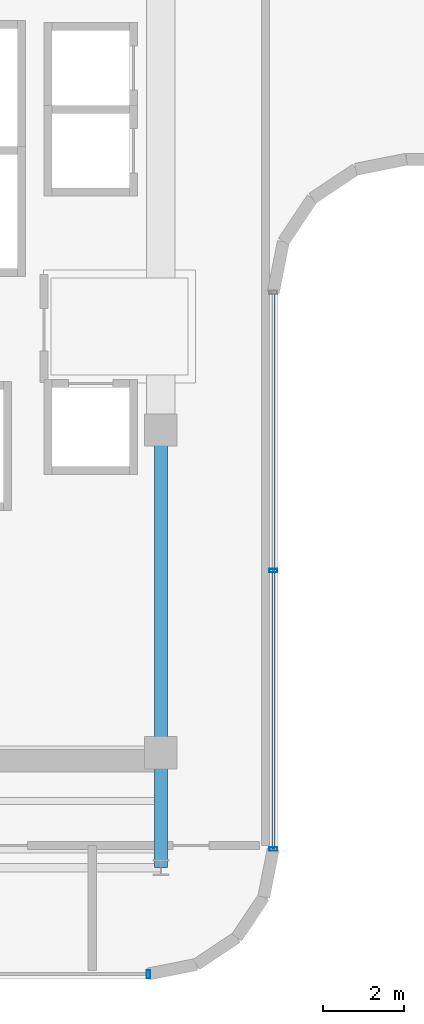
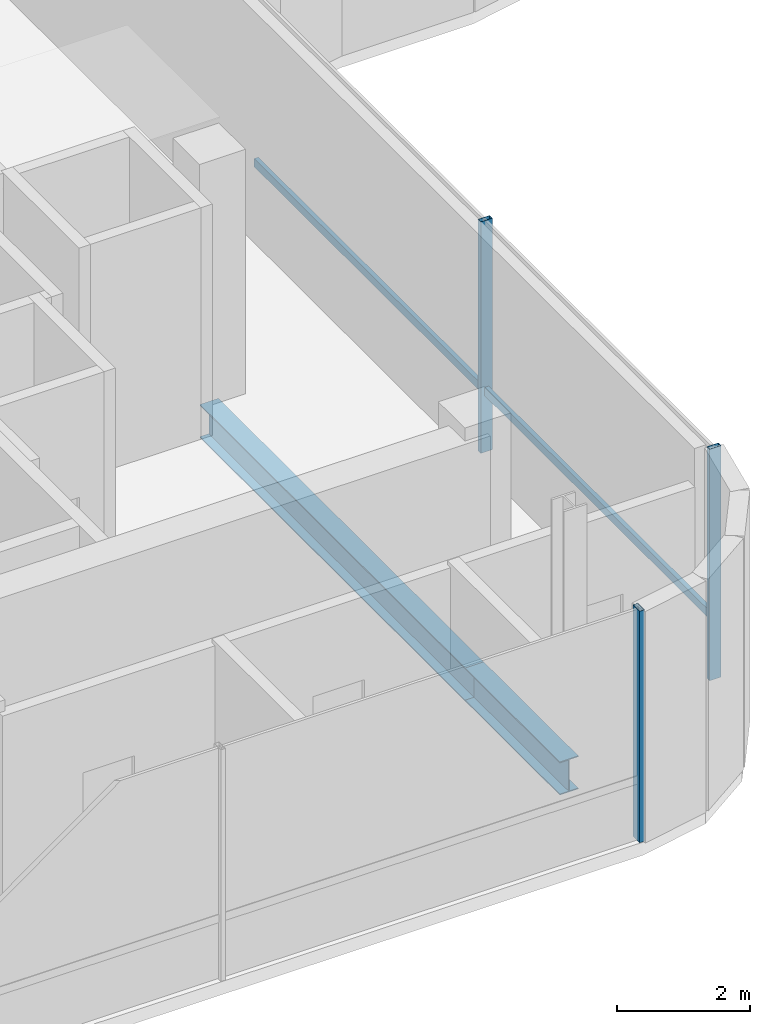
# One storey, part 5 of 19: 4 members, 2 beams, 2 elements without a shape of their own.
"""IFC4 building model written with IfcOpenShell, lengths in metres."""

from ifc_helpers import new_model, si_unit, direction, frame, origin, origin_2d, place, context, subcontext, project, spatial, hollow_rectangle, i_section, extrude, source, transform, mapped, material, material_profile, profile_set, type_object, element, aggregate, save


model = new_model("IFC4")

# Units and contexts
model_context = context("Model", 3, precision=1e-05, world=origin(), true_north=direction((0.0, 1.0)))
body_context = subcontext(model_context, "Body", "Model", "MODEL_VIEW")
ifc_project = project(units=[si_unit("LENGTHUNIT", "METRE"), si_unit("AREAUNIT", "SQUARE_METRE"), si_unit("VOLUMEUNIT", "CUBIC_METRE"), si_unit("PLANEANGLEUNIT", "RADIAN"), si_unit("MASSUNIT", "GRAM", prefix="KILO")], contexts=[model_context])

# Site, building, storey
site_placement = place(None, origin())
site = spatial("IfcSite", under=ifc_project, at=site_placement, CompositionType="ELEMENT")
building_placement = place(site_placement, origin())
building = spatial("IfcBuilding", under=site, at=building_placement, Name="Valdorenza Pilgrim Sanctuary Tower", CompositionType="ELEMENT")
storey_placement = place(building_placement, frame((0.0, 0.0, 261.5)))
storey = spatial("IfcBuildingStorey", under=building, at=storey_placement, Name="L68", CompositionType="ELEMENT", Elevation=261.5)

# Beams
ifc_material_1 = material(Name="Steel ASTM A992 Grade 50", Category="steel")
ifc_material_profile_1 = material_profile(ifc_material_1, i_section(OverallWidth=0.323974609375, OverallDepth=0.611083984375, WebThickness=0.0126953125, FlangeThickness=0.01904296875, at=origin_2d()), Name="W24X104")
ifc_profile_set_1 = profile_set([ifc_material_profile_1], Name="Steel ASTM A992 Grade 50")
beam_type = type_object("IfcBeamType", Name="STR-BM-GRD-W24B", PredefinedType="BEAM", material=ifc_profile_set_1)
shared_shape_1 = source(origin(), body_context, "Body", "SweptSolid", [
    extrude(i_section(OverallWidth=0.323974609375, OverallDepth=0.611083984375, WebThickness=0.0126953125, FlangeThickness=0.01904296875, at=origin_2d()), origin(), (0.0, 0.0, 1.0), 8.0),
])
beam_1_placement = place(storey_placement, frame((-12.39990234375, -10.60009765625, -0.54541015625), z_axis=(0.0, 1.0, 0.0), x_axis=(-1.0, 0.0, 0.0)))
element("IfcBeam", 1, at=beam_1_placement, inside=storey, type_object=beam_type, Name="L68 Core Tie Girder CA-E-S1M0", PredefinedType="BEAM", context=body_context, shape_type="MappedRepresentation", body=[
    mapped(shared_shape_1, transform((0.0, 0.0, 0.0), x_axis=(1.0, 0.0, 0.0), y_axis=(0.0, 1.0, 0.0), z_axis=(0.0, 0.0, 1.0), scale=1.0)),
])
shared_shape_2 = source(origin(), body_context, "Body", "SweptSolid", [
    extrude(i_section(OverallWidth=0.323974609375, OverallDepth=0.611083984375, WebThickness=0.0126953125, FlangeThickness=0.01904296875, at=origin_2d()), origin(), (0.0, 0.0, 1.0), 2.849853515625),
])
beam_2_placement = place(storey_placement, frame((-12.39990234375, -13.449951171875, -0.54541015625), z_axis=(0.0, 1.0, 0.0), x_axis=(-1.0, 0.0, 0.0)))
element("IfcBeam", 2, at=beam_2_placement, inside=storey, type_object=beam_type, Name="L68 Floor Girder WA-S-LE", PredefinedType="BEAM", context=body_context, shape_type="MappedRepresentation", body=[
    mapped(shared_shape_2, transform((0.0, 0.0, 0.0), x_axis=(1.0, 0.0, 0.0), y_axis=(0.0, 1.0, 0.0), z_axis=(0.0, 0.0, 1.0), scale=1.0)),
])

# Curtain wall, members
ifc_material_2 = material(Name="Curtain-wall IGU glazing", Category="glass")
curtain_wall_type = type_object("IfcCurtainWallType", Name="CW-SYS-02", PredefinedType="NOTDEFINED", material=ifc_material_2)
curtain_wall_1_placement = place(storey_placement, origin())
curtain_wall_1 = element("IfcCurtainWall", 3, at=curtain_wall_1_placement, inside=storey, type_object=curtain_wall_type, Name="L68 Curtain Wall CW-L68-1-21", PredefinedType="NOTDEFINED")
ifc_material_3 = material(Name="Anodised aluminium AW-6060", Category="aluminium")
ifc_material_profile_2 = material_profile(ifc_material_3, hollow_rectangle(XDim=0.074951171875, YDim=0.14990234375, WallThickness=0.00390625, at=origin_2d()), Name="ALU-T 150x75x4")
ifc_profile_set_2 = profile_set([ifc_material_profile_2], Name="Anodised aluminium AW-6060")
member_type_1 = type_object("IfcMemberType", Name="CW-TRN-02", PredefinedType="USERDEFINED", material=ifc_profile_set_2)
shared_shape_3 = source(origin(), body_context, "Body", "SweptSolid", [
    extrude(hollow_rectangle(XDim=0.074951171875, YDim=0.14990234375, WallThickness=0.00390625, at=origin_2d()), origin(), (0.0, 0.0, 1.0), 13.800048828125),
])
member_1_placement = place(storey_placement, frame((-9.610107421875, 0.810791015625, 1.1201171875), z_axis=(0.0, -1.0, 0.0), x_axis=(1.0, 0.0, 0.0)))
member_1 = element("IfcMember", 4, at=member_1_placement, type_object=member_type_1, Name="CW-L68-1-21 Transom 1", ObjectType="TRANSOM", PredefinedType="USERDEFINED", context=body_context, shape_type="MappedRepresentation", body=[
    mapped(shared_shape_3, transform((0.0, 0.0, 0.0), x_axis=(1.0, 0.0, 0.0), y_axis=(0.0, 1.0, 0.0), z_axis=(0.0, 0.0, 1.0), scale=1.0)),
])
ifc_material_profile_3 = material_profile(ifc_material_3, hollow_rectangle(XDim=0.0849609375, YDim=0.199951171875, WallThickness=0.0048828125, at=origin_2d()), Name="ALU-M 200x85x5")
ifc_profile_set_3 = profile_set([ifc_material_profile_3], Name="Anodised aluminium AW-6060")
member_type_2 = type_object("IfcMemberType", Name="CW-MUL-02", PredefinedType="MULLION", material=ifc_profile_set_3)
shared_shape_4 = source(origin(), body_context, "Body", "SweptSolid", [
    extrude(hollow_rectangle(XDim=0.0849609375, YDim=0.199951171875, WallThickness=0.0048828125, at=origin_2d()), origin(), (0.0, 0.0, 1.0), 4.260009765625),
])
member_2_placement = place(storey_placement, frame((-9.610107421875, -6.089111328125, 0.0), z_axis=(0.0, 0.0, 1.0), x_axis=(0.0, -1.0, 0.0)))
member_2 = element("IfcMember", 5, at=member_2_placement, type_object=member_type_2, Name="CW-L68-1-21 Mullion 2", PredefinedType="MULLION", context=body_context, shape_type="MappedRepresentation", body=[
    mapped(shared_shape_4, transform((0.0, 0.0, 0.0), x_axis=(1.0, 0.0, 0.0), y_axis=(0.0, 1.0, 0.0), z_axis=(0.0, 0.0, 1.0), scale=1.0)),
])
member_3_placement = place(storey_placement, frame((-9.610107421875, -12.9892578125, 0.0), z_axis=(0.0, 0.0, 1.0), x_axis=(0.0, -1.0, 0.0)))
member_3 = element("IfcMember", 6, at=member_3_placement, type_object=member_type_2, Name="CW-L68-1-21 Mullion 3", PredefinedType="MULLION", context=body_context, shape_type="MappedRepresentation", body=[
    mapped(shared_shape_4, transform((0.0, 0.0, 0.0), x_axis=(1.0, 0.0, 0.0), y_axis=(0.0, 1.0, 0.0), z_axis=(0.0, 0.0, 1.0), scale=1.0)),
])
aggregate(curtain_wall_1, [member_2, member_3, member_1])

# Curtain wall, member
curtain_wall_2_placement = place(storey_placement, origin())
curtain_wall_2 = element("IfcCurtainWall", 7, at=curtain_wall_2_placement, inside=storey, type_object=curtain_wall_type, Name="L68 Curtain Wall CW-L68-1-26", PredefinedType="NOTDEFINED")
member_4_placement = place(storey_placement, frame((-12.710693359375, -16.090087890625, 0.0), z_axis=(0.0, 0.0, 1.0), x_axis=(-1.0, 0.0, 0.0)))
member_4 = element("IfcMember", 8, at=member_4_placement, type_object=member_type_2, Name="CW-L68-1-26 Mullion 1", PredefinedType="MULLION", context=body_context, shape_type="MappedRepresentation", body=[
    mapped(shared_shape_4, transform((0.0, 0.0, 0.0), x_axis=(1.0, 0.0, 0.0), y_axis=(0.0, 1.0, 0.0), z_axis=(0.0, 0.0, 1.0), scale=1.0)),
])
aggregate(curtain_wall_2, [member_4])

save(model, "model.ifc")
